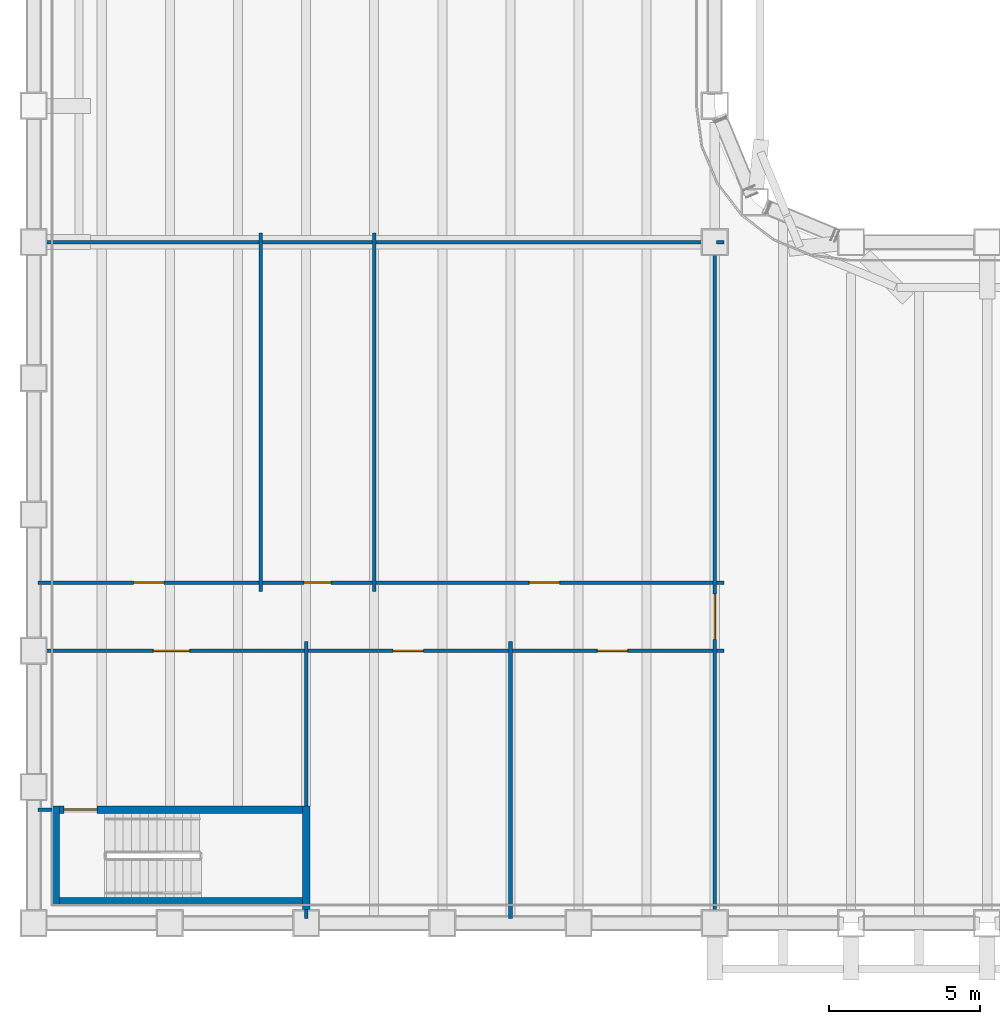
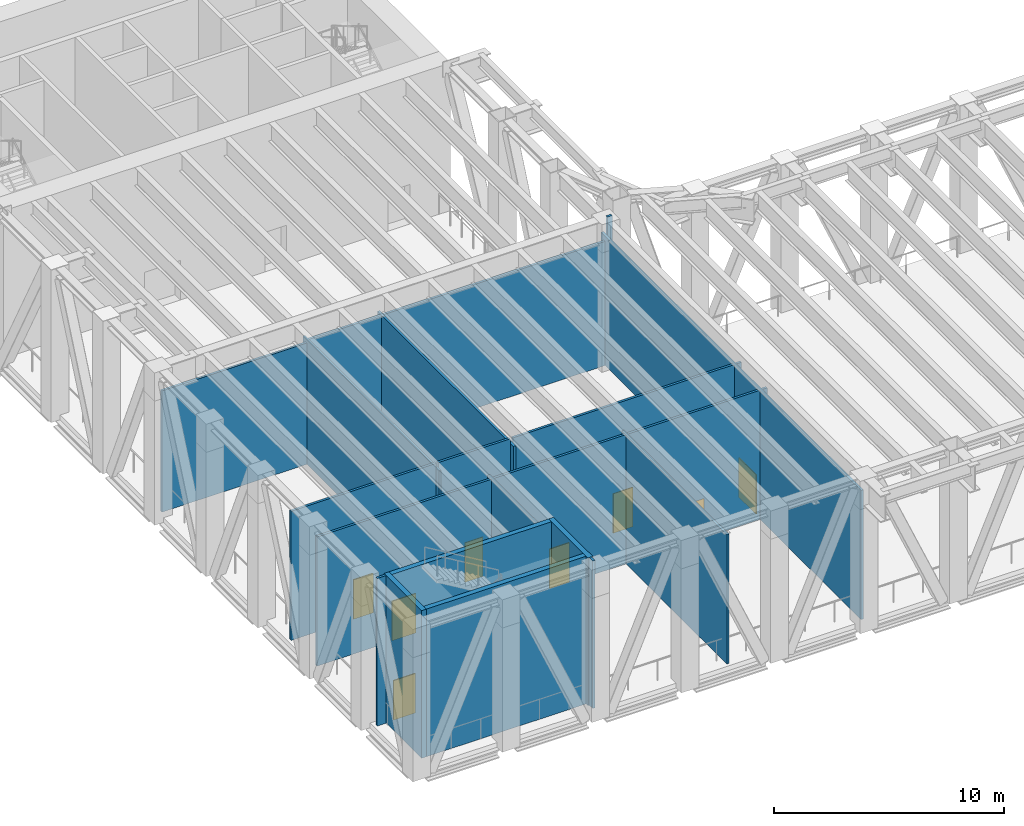
# One storey, part 7 of 16: 23 walls, 8 doors, 8 openings.
"""IFC4 building model written with IfcOpenShell, lengths in metres."""

from ifc_helpers import new_model, si_unit, direction, frame, frame_2d, origin, place, context, subcontext, project, spatial, rectangle, extrude, material, layer, layer_set, type_object, element, fill, save


model = new_model("IFC4")

# Units and contexts
model_context = context("Model", 3, precision=1e-05, world=origin(), true_north=direction((0.0, 1.0)))
body_context = subcontext(model_context, "Body", "Model", "MODEL_VIEW")
ifc_project = project(units=[si_unit("LENGTHUNIT", "METRE"), si_unit("AREAUNIT", "SQUARE_METRE"), si_unit("VOLUMEUNIT", "CUBIC_METRE"), si_unit("PLANEANGLEUNIT", "RADIAN"), si_unit("MASSUNIT", "GRAM", prefix="KILO")], contexts=[model_context])

# Site, building, storey
site_placement = place(None, origin())
site = spatial("IfcSite", under=ifc_project, at=site_placement, CompositionType="ELEMENT")
building_placement = place(site_placement, origin())
building = spatial("IfcBuilding", under=site, at=building_placement, Name="Sennacour Bend Tower", CompositionType="ELEMENT")
storey_placement = place(building_placement, frame((0.0, 0.0, 187.0)))
storey = spatial("IfcBuildingStorey", under=building, at=storey_placement, Name="L43", CompositionType="ELEMENT", Elevation=187.0)

# Walls
ifc_material_1 = material(Name="Plasterboard partition on steel studs", Category="steel")
ifc_layer_1 = layer(ifc_material_1, 0.1201171875, Name="Plasterboard partition on steel studs", Category="steel")
ifc_layer_set_1 = layer_set([ifc_layer_1], Name="Plasterboard partition on steel studs")
wall_type_1 = type_object("IfcWallType", Name="Partition 120", PredefinedType="PARTITIONING", material=ifc_layer_set_1)
wall_1_placement = place(storey_placement, frame((7.5, 10.949951171875, 0.0), z_axis=(0.0, 0.0, 1.0), x_axis=(0.0, 1.0, 0.0)))
element("IfcWall", 1, at=wall_1_placement, inside=storey, type_object=wall_type_1, Name="P-L43-W006a", PredefinedType="PARTITIONING", context=body_context, shape_type="SweptSolid", body=[
    extrude(rectangle(XDim=11.85009765625, YDim=0.1201171875, at=frame_2d((5.925048828125, 0.0))), origin(), (0.0, 0.0, 1.0), 6.60009765625),
])
wall_2_placement = place(storey_placement, frame((9.0, 0.14990234375, 0.0), z_axis=(0.0, 0.0, 1.0), x_axis=(0.0, 1.0, 0.0)))
element("IfcWall", 2, at=wall_2_placement, inside=storey, type_object=wall_type_1, Name="P-L43-W007a", PredefinedType="PARTITIONING", context=body_context, shape_type="SweptSolid", body=[
    extrude(rectangle(XDim=0.300048828125, YDim=0.1201171875, at=frame_2d((0.14990234375, 0.0))), origin(), (0.0, 0.0, 1.0), 7.85009765625),
])
wall_3_placement = place(storey_placement, frame((9.0, 3.875, 0.0), z_axis=(0.0, 0.0, 1.0), x_axis=(0.0, 1.0, 0.0)))
element("IfcWall", 3, at=wall_3_placement, inside=storey, type_object=wall_type_1, Name="P-L43-W009a", PredefinedType="PARTITIONING", context=body_context, shape_type="SweptSolid", body=[
    extrude(rectangle(XDim=5.425048828125, YDim=0.1201171875, at=frame_2d((2.71240234375, 0.0))), origin(), (0.0, 0.0, 1.0), 6.8701171875),
])
wall_4_placement = place(storey_placement, frame((11.25, 10.949951171875, 0.0), z_axis=(0.0, 0.0, 1.0), x_axis=(0.0, 1.0, 0.0)))
element("IfcWall", 4, at=wall_4_placement, inside=storey, type_object=wall_type_1, Name="P-L43-W011a", PredefinedType="PARTITIONING", context=body_context, shape_type="SweptSolid", body=[
    extrude(rectangle(XDim=11.85009765625, YDim=0.1201171875, at=frame_2d((5.925048828125, 0.0))), origin(), (0.0, 0.0, 1.0), 6.60009765625),
])
wall_5_placement = place(storey_placement, frame((15.75, 0.14990234375, 0.0), z_axis=(0.0, 0.0, 1.0), x_axis=(0.0, 1.0, 0.0)))
element("IfcWall", 5, at=wall_5_placement, inside=storey, type_object=wall_type_1, Name="P-L43-W015a", PredefinedType="PARTITIONING", context=body_context, shape_type="SweptSolid", body=[
    extrude(rectangle(XDim=9.150146484375, YDim=0.1201171875, at=frame_2d((4.5751953125, 0.0))), origin(), (0.0, 0.0, 1.0), 6.8701171875),
])
wall_6_placement = place(storey_placement, frame((0.14990234375, 3.75, 0.0), z_axis=(0.0, 0.0, 1.0), x_axis=(1.0, 0.0, 0.0)))
element("IfcWall", 6, at=wall_6_placement, inside=storey, type_object=wall_type_1, Name="P-L43-W034a", PredefinedType="PARTITIONING", context=body_context, shape_type="SweptSolid", body=[
    extrude(rectangle(XDim=0.4501953125, YDim=0.1201171875, at=frame_2d((0.22509765625, 0.0))), origin(), (0.0, 0.0, 1.0), 7.85009765625),
])
wall_7_placement = place(storey_placement, frame((22.56005859375, 9.0, 0.0), z_axis=(0.0, 0.0, 1.0), x_axis=(1.0, 0.0, 0.0)))
element("IfcWall", 7, at=wall_7_placement, inside=storey, type_object=wall_type_1, Name="P-L43-W039ad", PredefinedType="PARTITIONING", context=body_context, shape_type="SweptSolid", body=[
    extrude(rectangle(XDim=0.239990234375, YDim=0.1201171875, at=frame_2d((0.1201171875, 0.0))), origin(), (0.0, 0.0, 1.0), 6.8701171875),
])

# Wall, opening, door
wall_8_placement = place(storey_placement, frame((0.14990234375, 11.25, 0.0), z_axis=(0.0, 0.0, 1.0), x_axis=(1.0, 0.0, 0.0)))
wall_8 = element("IfcWall", 8, at=wall_8_placement, inside=storey, type_object=wall_type_1, Name="P-L43-W041aa", PredefinedType="PARTITIONING", context=body_context, shape_type="SweptSolid", body=[
    extrude(rectangle(XDim=7.2900390625, YDim=0.1201171875, at=frame_2d((3.64501953125, 0.0))), origin(), (0.0, 0.0, 1.0), 6.8701171875),
])
opening_1_placement = place(wall_8_placement, frame((3.155029296875, 0.0, 0.0)))
opening_1 = element("IfcOpeningElement", 9, at=opening_1_placement, cuts=wall_8, Name="Opening OD2", PredefinedType="OPENING", context=body_context, shape_type="SweptSolid", body=[
    extrude(rectangle(XDim=1.0, YDim=2.10009765625, at=frame_2d((0.5, 1.050048828125))), frame((0.0, 0.070068359375, 0.0), z_axis=(0.0, -1.0, 0.0), x_axis=(1.0, 0.0, 0.0)), (0.0, 0.0, 1.0), 0.14013671875),
])
ifc_material_2 = material(Name="Timber", Category="wood")
door_type_1 = type_object("IfcDoorType", Name="DR-OFFICE-1000", OperationType="NOTDEFINED", PredefinedType="DOOR", material=ifc_material_2)
door_1_placement = place(opening_1_placement, origin())
door_1 = element("IfcDoor", 10, at=door_1_placement, inside=storey, type_object=door_type_1, Name="Door", OperationType="SINGLE_SWING_RIGHT", OverallHeight=2.10009765625, OverallWidth=1.0, PredefinedType="DOOR", context=body_context, shape_type="SweptSolid", body=[
    extrude(rectangle(XDim=1.0, YDim=2.10009765625, at=frame_2d((0.5, 1.050048828125))), frame((0.0, 0.02490234375, 0.0), z_axis=(0.0, -1.0, 0.0), x_axis=(1.0, 0.0, 0.0)), (0.0, 0.0, 1.0), 0.050048828125),
])
fill(opening_1, door_1)

wall_9_placement = place(storey_placement, frame((7.56005859375, 11.25, 0.0), z_axis=(0.0, 0.0, 1.0), x_axis=(1.0, 0.0, 0.0)))
wall_9 = element("IfcWall", 11, at=wall_9_placement, inside=storey, type_object=wall_type_1, Name="P-L43-W041ab", PredefinedType="PARTITIONING", context=body_context, shape_type="SweptSolid", body=[
    extrude(rectangle(XDim=3.6298828125, YDim=0.1201171875, at=frame_2d((1.81494140625, 0.0))), origin(), (0.0, 0.0, 1.0), 6.8701171875),
])
opening_2_placement = place(wall_9_placement, frame((1.364990234375, 0.0, 0.0)))
opening_2 = element("IfcOpeningElement", 12, at=opening_2_placement, cuts=wall_9, Name="Opening WD", PredefinedType="OPENING", context=body_context, shape_type="SweptSolid", body=[
    extrude(rectangle(XDim=0.89990234375, YDim=2.10009765625, at=frame_2d((0.449951171875, 1.050048828125))), frame((0.0, 0.070068359375, 0.0), z_axis=(0.0, -1.0, 0.0), x_axis=(1.0, 0.0, 0.0)), (0.0, 0.0, 1.0), 0.14013671875),
])
door_type_2 = type_object("IfcDoorType", Name="DR-WC-900", OperationType="NOTDEFINED", PredefinedType="DOOR", material=ifc_material_2)
door_2_placement = place(opening_2_placement, origin())
door_2 = element("IfcDoor", 13, at=door_2_placement, inside=storey, type_object=door_type_2, Name="Door", OperationType="SINGLE_SWING_LEFT", OverallHeight=2.10009765625, OverallWidth=0.89990234375, PredefinedType="DOOR", context=body_context, shape_type="SweptSolid", body=[
    extrude(rectangle(XDim=0.89990234375, YDim=2.10009765625, at=frame_2d((0.449951171875, 1.050048828125))), frame((0.0, 0.02490234375, 0.0), z_axis=(0.0, -1.0, 0.0), x_axis=(1.0, 0.0, 0.0)), (0.0, 0.0, 1.0), 0.050048828125),
])
fill(opening_2, door_2)

# Walls
wall_10_placement = place(storey_placement, frame((22.56005859375, 11.25, 0.0), z_axis=(0.0, 0.0, 1.0), x_axis=(1.0, 0.0, 0.0)))
element("IfcWall", 14, at=wall_10_placement, inside=storey, type_object=wall_type_1, Name="P-L43-W041ad", PredefinedType="PARTITIONING", context=body_context, shape_type="SweptSolid", body=[
    extrude(rectangle(XDim=0.239990234375, YDim=0.1201171875, at=frame_2d((0.1201171875, 0.0))), origin(), (0.0, 0.0, 1.0), 6.8701171875),
])
wall_11_placement = place(storey_placement, frame((0.14990234375, 22.5, 0.0), z_axis=(0.0, 0.0, 1.0), x_axis=(1.0, 0.0, 0.0)))
element("IfcWall", 15, at=wall_11_placement, inside=storey, type_object=wall_type_1, Name="P-L43-W048aa", PredefinedType="PARTITIONING", context=body_context, shape_type="SweptSolid", body=[
    extrude(rectangle(XDim=7.2900390625, YDim=0.1201171875, at=frame_2d((3.64501953125, 0.0))), origin(), (0.0, 0.0, 1.0), 6.449951171875),
])
wall_12_placement = place(storey_placement, frame((7.56005859375, 22.5, 0.0), z_axis=(0.0, 0.0, 1.0), x_axis=(1.0, 0.0, 0.0)))
element("IfcWall", 16, at=wall_12_placement, inside=storey, type_object=wall_type_1, Name="P-L43-W048ab", PredefinedType="PARTITIONING", context=body_context, shape_type="SweptSolid", body=[
    extrude(rectangle(XDim=3.6298828125, YDim=0.1201171875, at=frame_2d((1.81494140625, 0.0))), origin(), (0.0, 0.0, 1.0), 6.60009765625),
])
wall_13_placement = place(storey_placement, frame((11.31005859375, 22.5, 0.0), z_axis=(0.0, 0.0, 1.0), x_axis=(1.0, 0.0, 0.0)))
element("IfcWall", 17, at=wall_13_placement, inside=storey, type_object=wall_type_1, Name="P-L43-W048ac", PredefinedType="PARTITIONING", context=body_context, shape_type="SweptSolid", body=[
    extrude(rectangle(XDim=11.1298828125, YDim=0.1201171875, at=frame_2d((5.56494140625, 0.0))), origin(), (0.0, 0.0, 1.0), 6.60009765625),
])
wall_14_placement = place(storey_placement, frame((22.56005859375, 22.5, 0.0), z_axis=(0.0, 0.0, 1.0), x_axis=(1.0, 0.0, 0.0)))
element("IfcWall", 18, at=wall_14_placement, inside=storey, type_object=wall_type_1, Name="P-L43-W048ad", PredefinedType="PARTITIONING", context=body_context, shape_type="SweptSolid", body=[
    extrude(rectangle(XDim=0.239990234375, YDim=0.1201171875, at=frame_2d((0.1201171875, 0.0))), origin(), (0.0, 0.0, 1.0), 7.85009765625),
])

# Wall, opening, door
ifc_layer_2 = layer(ifc_material_1, 0.1201171875, Name="Plasterboard partition on steel studs", Category="steel")
ifc_layer_set_2 = layer_set([ifc_layer_2], Name="Plasterboard partition on steel studs")
wall_type_2 = type_object("IfcWallType", Name="Partition 120 EI 30", PredefinedType="PARTITIONING", material=ifc_layer_set_2)
wall_15_placement = place(storey_placement, frame((22.5, 0.14990234375, 0.0), z_axis=(0.0, 0.0, 1.0), x_axis=(0.0, 1.0, 0.0)))
wall_15 = element("IfcWall", 19, at=wall_15_placement, inside=storey, type_object=wall_type_2, Name="P-L43-W019a", PredefinedType="PARTITIONING", context=body_context, shape_type="SweptSolid", body=[
    extrude(rectangle(XDim=22.650146484375, YDim=0.1201171875, at=frame_2d((11.3251953125, 0.0))), origin(), (0.0, 0.0, 1.0), 6.8701171875),
])
opening_3_placement = place(wall_15_placement, frame((9.22509765625, 0.0, 0.0)))
opening_3 = element("IfcOpeningElement", 20, at=opening_3_placement, cuts=wall_15, Name="Opening KD", PredefinedType="OPENING", context=body_context, shape_type="SweptSolid", body=[
    extrude(rectangle(XDim=1.5, YDim=2.10009765625, at=frame_2d((0.75, 1.050048828125))), frame((0.0, 0.070068359375, 0.0), z_axis=(0.0, -1.0, 0.0), x_axis=(1.0, 0.0, 0.0)), (0.0, 0.0, 1.0), 0.14013671875),
])
ifc_material_3 = material(Name="Painted steel", Category="steel")
door_type_3 = type_object("IfcDoorType", Name="DR-CORRIDOR-1500", OperationType="NOTDEFINED", PredefinedType="DOOR", material=ifc_material_3)
door_3_placement = place(opening_3_placement, origin())
door_3 = element("IfcDoor", 21, at=door_3_placement, inside=storey, type_object=door_type_3, Name="Door", OperationType="SINGLE_SWING_LEFT", OverallHeight=2.10009765625, OverallWidth=1.5, PredefinedType="DOOR", context=body_context, shape_type="SweptSolid", body=[
    extrude(rectangle(XDim=1.5, YDim=2.10009765625, at=frame_2d((0.75, 1.050048828125))), frame((0.0, 0.02490234375, 0.0), z_axis=(0.0, -1.0, 0.0), x_axis=(1.0, 0.0, 0.0)), (0.0, 0.0, 1.0), 0.050048828125),
])
fill(opening_3, door_3)

wall_16_placement = place(storey_placement, frame((0.14990234375, 9.0, 0.0), z_axis=(0.0, 0.0, 1.0), x_axis=(1.0, 0.0, 0.0)))
wall_16 = element("IfcWall", 22, at=wall_16_placement, inside=storey, type_object=wall_type_2, Name="P-L43-W039aa", PredefinedType="PARTITIONING", context=body_context, shape_type="SweptSolid", body=[
    extrude(rectangle(XDim=8.7900390625, YDim=0.1201171875, at=frame_2d((4.39501953125, 0.0))), origin(), (0.0, 0.0, 1.0), 6.8701171875),
])
opening_4_placement = place(wall_16_placement, frame((3.80517578125, 0.0, 0.0)))
opening_4 = element("IfcOpeningElement", 23, at=opening_4_placement, cuts=wall_16, Name="Opening KD2", PredefinedType="OPENING", context=body_context, shape_type="SweptSolid", body=[
    extrude(rectangle(XDim=1.199951171875, YDim=2.10009765625, at=frame_2d((0.60009765625, 1.050048828125))), frame((0.0, 0.070068359375, 0.0), z_axis=(0.0, -1.0, 0.0), x_axis=(1.0, 0.0, 0.0)), (0.0, 0.0, 1.0), 0.14013671875),
])
door_type_4 = type_object("IfcDoorType", Name="DR-CORRIDOR-1200", OperationType="NOTDEFINED", PredefinedType="DOOR", material=ifc_material_3)
door_4_placement = place(opening_4_placement, origin())
door_4 = element("IfcDoor", 24, at=door_4_placement, inside=storey, type_object=door_type_4, Name="Door", OperationType="SINGLE_SWING_RIGHT", OverallHeight=2.10009765625, OverallWidth=1.199951171875, PredefinedType="DOOR", context=body_context, shape_type="SweptSolid", body=[
    extrude(rectangle(XDim=1.199951171875, YDim=2.10009765625, at=frame_2d((0.60009765625, 1.050048828125))), frame((0.0, 0.02490234375, 0.0), z_axis=(0.0, -1.0, 0.0), x_axis=(1.0, 0.0, 0.0)), (0.0, 0.0, 1.0), 0.050048828125),
])
fill(opening_4, door_4)

ifc_layer_3 = layer(ifc_material_1, 0.1201171875, Name="Plasterboard partition on steel studs", Category="steel")
ifc_layer_set_3 = layer_set([ifc_layer_3], Name="Plasterboard partition on steel studs")
wall_type_3 = type_object("IfcWallType", Name="Partition 120 EI 60", PredefinedType="PARTITIONING", material=ifc_layer_set_3)
wall_17_placement = place(storey_placement, frame((9.06005859375, 9.0, 0.0), z_axis=(0.0, 0.0, 1.0), x_axis=(1.0, 0.0, 0.0)))
wall_17 = element("IfcWall", 25, at=wall_17_placement, inside=storey, type_object=wall_type_3, Name="P-L43-W039ab", PredefinedType="PARTITIONING", context=body_context, shape_type="SweptSolid", body=[
    extrude(rectangle(XDim=6.6298828125, YDim=0.1201171875, at=frame_2d((3.31494140625, 0.0))), origin(), (0.0, 0.0, 1.0), 6.8701171875),
])
opening_5_placement = place(wall_17_placement, frame((2.81494140625, 0.0, 0.0)))
opening_5 = element("IfcOpeningElement", 26, at=opening_5_placement, cuts=wall_17, Name="Opening PD2", PredefinedType="OPENING", context=body_context, shape_type="SweptSolid", body=[
    extrude(rectangle(XDim=1.0, YDim=2.10009765625, at=frame_2d((0.5, 1.050048828125))), frame((0.0, 0.070068359375, 0.0), z_axis=(0.0, -1.0, 0.0), x_axis=(1.0, 0.0, 0.0)), (0.0, 0.0, 1.0), 0.14013671875),
])
door_type_5 = type_object("IfcDoorType", Name="DR-PLANT-1000", OperationType="NOTDEFINED", PredefinedType="DOOR", material=ifc_material_3)
door_5_placement = place(opening_5_placement, origin())
door_5 = element("IfcDoor", 27, at=door_5_placement, inside=storey, type_object=door_type_5, Name="Door", OperationType="SINGLE_SWING_LEFT", OverallHeight=2.10009765625, OverallWidth=1.0, PredefinedType="DOOR", context=body_context, shape_type="SweptSolid", body=[
    extrude(rectangle(XDim=1.0, YDim=2.10009765625, at=frame_2d((0.5, 1.050048828125))), frame((0.0, 0.02490234375, 0.0), z_axis=(0.0, -1.0, 0.0), x_axis=(1.0, 0.0, 0.0)), (0.0, 0.0, 1.0), 0.050048828125),
])
fill(opening_5, door_5)

wall_18_placement = place(storey_placement, frame((15.81005859375, 9.0, 0.0), z_axis=(0.0, 0.0, 1.0), x_axis=(1.0, 0.0, 0.0)))
wall_18 = element("IfcWall", 28, at=wall_18_placement, inside=storey, type_object=wall_type_3, Name="P-L43-W039ac", PredefinedType="PARTITIONING", context=body_context, shape_type="SweptSolid", body=[
    extrude(rectangle(XDim=6.6298828125, YDim=0.1201171875, at=frame_2d((3.31494140625, 0.0))), origin(), (0.0, 0.0, 1.0), 6.8701171875),
])
opening_6_placement = place(wall_18_placement, frame((2.81494140625, 0.0, 0.0)))
opening_6 = element("IfcOpeningElement", 29, at=opening_6_placement, cuts=wall_18, Name="Opening PD2", PredefinedType="OPENING", context=body_context, shape_type="SweptSolid", body=[
    extrude(rectangle(XDim=1.0, YDim=2.10009765625, at=frame_2d((0.5, 1.050048828125))), frame((0.0, 0.070068359375, 0.0), z_axis=(0.0, -1.0, 0.0), x_axis=(1.0, 0.0, 0.0)), (0.0, 0.0, 1.0), 0.14013671875),
])
door_6_placement = place(opening_6_placement, origin())
door_6 = element("IfcDoor", 30, at=door_6_placement, inside=storey, type_object=door_type_5, Name="Door", OperationType="SINGLE_SWING_LEFT", OverallHeight=2.10009765625, OverallWidth=1.0, PredefinedType="DOOR", context=body_context, shape_type="SweptSolid", body=[
    extrude(rectangle(XDim=1.0, YDim=2.10009765625, at=frame_2d((0.5, 1.050048828125))), frame((0.0, 0.02490234375, 0.0), z_axis=(0.0, -1.0, 0.0), x_axis=(1.0, 0.0, 0.0)), (0.0, 0.0, 1.0), 0.050048828125),
])
fill(opening_6, door_6)

wall_19_placement = place(storey_placement, frame((11.31005859375, 11.25, 0.0), z_axis=(0.0, 0.0, 1.0), x_axis=(1.0, 0.0, 0.0)))
wall_19 = element("IfcWall", 31, at=wall_19_placement, inside=storey, type_object=wall_type_3, Name="P-L43-W041ac", PredefinedType="PARTITIONING", context=body_context, shape_type="SweptSolid", body=[
    extrude(rectangle(XDim=11.1298828125, YDim=0.1201171875, at=frame_2d((5.56494140625, 0.0))), origin(), (0.0, 0.0, 1.0), 6.8701171875),
])
opening_7_placement = place(wall_19_placement, frame((5.06494140625, 0.0, 0.0)))
opening_7 = element("IfcOpeningElement", 32, at=opening_7_placement, cuts=wall_19, Name="Opening SV2", PredefinedType="OPENING", context=body_context, shape_type="SweptSolid", body=[
    extrude(rectangle(XDim=1.0, YDim=2.10009765625, at=frame_2d((0.5, 1.050048828125))), frame((0.0, 0.070068359375, 0.0), z_axis=(0.0, -1.0, 0.0), x_axis=(1.0, 0.0, 0.0)), (0.0, 0.0, 1.0), 0.14013671875),
])
door_type_6 = type_object("IfcDoorType", Name="DR-SERVICE-1000", OperationType="NOTDEFINED", PredefinedType="DOOR", material=ifc_material_3)
door_7_placement = place(opening_7_placement, origin())
door_7 = element("IfcDoor", 33, at=door_7_placement, inside=storey, type_object=door_type_6, Name="Door", OperationType="SINGLE_SWING_LEFT", OverallHeight=2.10009765625, OverallWidth=1.0, PredefinedType="DOOR", context=body_context, shape_type="SweptSolid", body=[
    extrude(rectangle(XDim=1.0, YDim=2.10009765625, at=frame_2d((0.5, 1.050048828125))), frame((0.0, 0.02490234375, 0.0), z_axis=(0.0, -1.0, 0.0), x_axis=(1.0, 0.0, 0.0)), (0.0, 0.0, 1.0), 0.050048828125),
])
fill(opening_7, door_7)

# Walls
ifc_material_4 = material(Name="Concrete C60/75", Category="concrete")
ifc_layer_4 = layer(ifc_material_4, 0.25, Name="Concrete C60/75", Category="concrete")
ifc_layer_set_4 = layer_set([ifc_layer_4], Name="Concrete C60/75")
wall_type_4 = type_object("IfcWallType", Name="Stair wall 250", PredefinedType="SHEAR", material=ifc_layer_set_4)
wall_20_placement = place(storey_placement, frame((0.72509765625, 0.60009765625, 0.0), z_axis=(0.0, 0.0, 1.0), x_axis=(0.0, 1.0, 0.0)))
element("IfcWall", 34, at=wall_20_placement, inside=storey, type_object=wall_type_4, Name="P-L43-W002", PredefinedType="SHEAR", context=body_context, shape_type="SweptSolid", body=[
    extrude(rectangle(XDim=3.27490234375, YDim=0.25, at=frame_2d((1.637451171875, 0.0))), origin(), (0.0, 0.0, 1.0), 7.85009765625),
])
wall_21_placement = place(storey_placement, frame((9.0, 0.449951171875, 0.0), z_axis=(0.0, 0.0, 1.0), x_axis=(0.0, 1.0, 0.0)))
element("IfcWall", 35, at=wall_21_placement, inside=storey, type_object=wall_type_4, Name="P-L43-W008", PredefinedType="SHEAR", context=body_context, shape_type="SweptSolid", body=[
    extrude(rectangle(XDim=3.425048828125, YDim=0.25, at=frame_2d((1.71240234375, 0.0))), origin(), (0.0, 0.0, 1.0), 7.85009765625),
])
wall_22_placement = place(storey_placement, frame((0.85009765625, 0.72509765625, 0.0), z_axis=(0.0, 0.0, 1.0), x_axis=(1.0, 0.0, 0.0)))
element("IfcWall", 36, at=wall_22_placement, inside=storey, type_object=wall_type_4, Name="P-L43-W033", PredefinedType="SHEAR", context=body_context, shape_type="SweptSolid", body=[
    extrude(rectangle(XDim=8.02490234375, YDim=0.25, at=frame_2d((4.012451171875, 0.0))), origin(), (0.0, 0.0, 1.0), 7.85009765625),
])

# Wall, opening, door
wall_23_placement = place(storey_placement, frame((0.85009765625, 3.75, 0.0), z_axis=(0.0, 0.0, 1.0), x_axis=(1.0, 0.0, 0.0)))
wall_23 = element("IfcWall", 37, at=wall_23_placement, inside=storey, type_object=wall_type_4, Name="P-L43-W035", PredefinedType="SHEAR", context=body_context, shape_type="SweptSolid", body=[
    extrude(rectangle(XDim=8.02490234375, YDim=0.25, at=frame_2d((4.012451171875, 0.0))), origin(), (0.0, 0.0, 1.0), 7.85009765625),
])
opening_8_placement = place(wall_23_placement, frame((0.14990234375, 0.0, 0.0)))
opening_8 = element("IfcOpeningElement", 38, at=opening_8_placement, cuts=wall_23, Name="Opening SD", PredefinedType="OPENING", context=body_context, shape_type="SweptSolid", body=[
    extrude(rectangle(XDim=1.10009765625, YDim=2.10009765625, at=frame_2d((0.550048828125, 1.050048828125))), frame((0.0, 0.135009765625, 0.0), z_axis=(0.0, -1.0, 0.0), x_axis=(1.0, 0.0, 0.0)), (0.0, 0.0, 1.0), 0.27001953125),
])
door_type_7 = type_object("IfcDoorType", Name="DR-STAIR-1100", OperationType="NOTDEFINED", PredefinedType="DOOR", material=ifc_material_3)
door_8_placement = place(opening_8_placement, origin())
door_8 = element("IfcDoor", 39, at=door_8_placement, inside=storey, type_object=door_type_7, Name="Door", OperationType="SINGLE_SWING_LEFT", OverallHeight=2.10009765625, OverallWidth=1.10009765625, PredefinedType="DOOR", context=body_context, shape_type="SweptSolid", body=[
    extrude(rectangle(XDim=1.10009765625, YDim=2.10009765625, at=frame_2d((0.550048828125, 1.050048828125))), frame((0.0, 0.02490234375, 0.0), z_axis=(0.0, -1.0, 0.0), x_axis=(1.0, 0.0, 0.0)), (0.0, 0.0, 1.0), 0.050048828125),
])
fill(opening_8, door_8)

save(model, "model.ifc")
